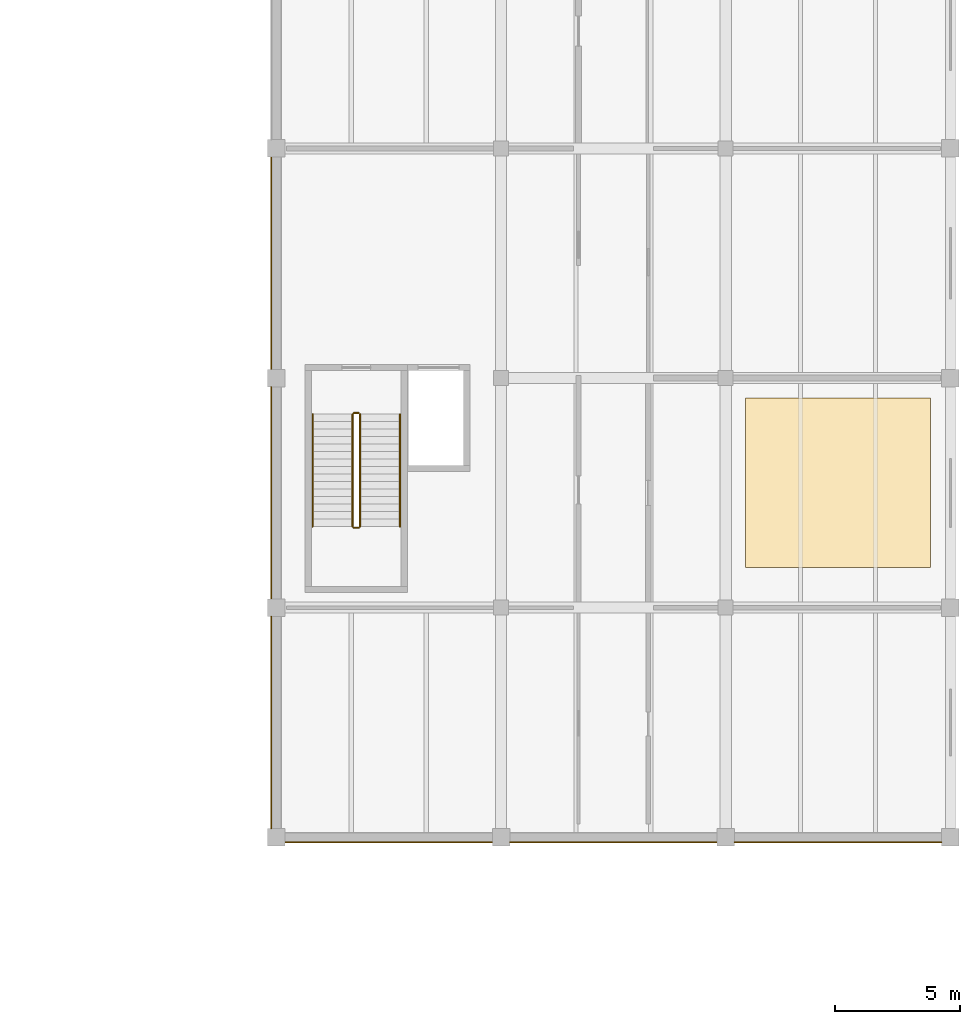
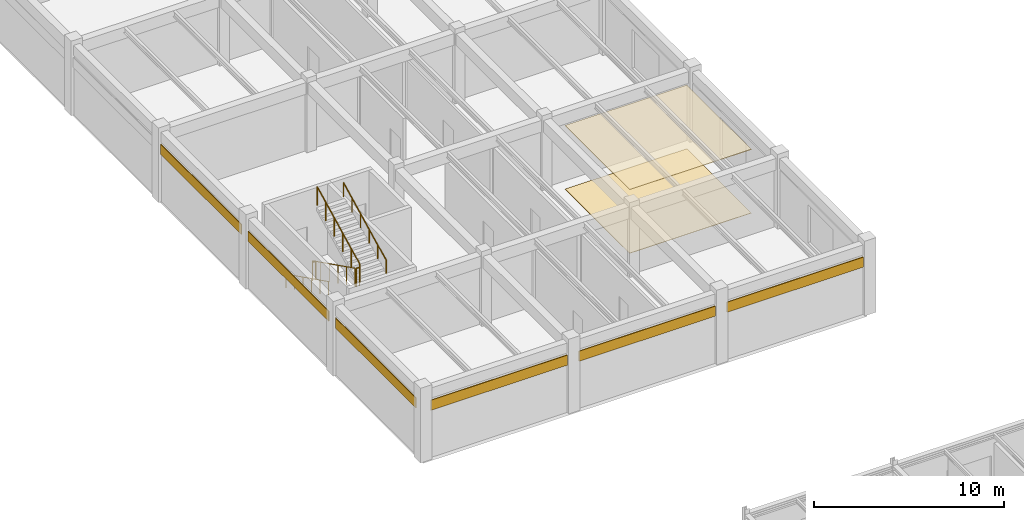
# One storey, part 60 of 61: 8 coverings, 6 railings.
"""IFC4 building model written with IfcOpenShell, lengths in metres."""

import ifcopenshell
import ifcopenshell.guid

model = None  # the IFC model being written
_history = None  # IfcOwnerHistory: only IFC2X3 demands one
_inside = {}  # id of a spatial element -> (the spatial element, [elements in it])
_under = {}  # id of a project, library or spatial element -> (it, [spatial elements below it])
_declared = {}  # id of a project -> (the project, [libraries it declares])
_typed = {}  # id of a type object -> (the type object, [elements of that type])
_made_of = {}  # id of a material, layer set ... -> (it, [elements and type objects made of it])


def new_model(schema):
    """Start an empty IFC model of exactly this schema.

    Asked for "IFC4X3", IfcOpenShell would pick the latest addendum, in which some entities
    have other attributes; the version numbers below select the first issue.
    IFC2X3 requires an IfcOwnerHistory on every rooted entity: one is made here for all.
    """
    global model, _history
    if schema == "IFC4X3":
        model = ifcopenshell.file(schema_version=(4, 3, 0, 0))
    else:
        model = ifcopenshell.file(schema=schema)
    _inside.clear()
    _under.clear()
    _declared.clear()
    _typed.clear()
    _made_of.clear()
    _history = None
    if model.schema == "IFC2X3":
        org = make("IfcOrganization", Name="unknown")
        user = make(
            "IfcPersonAndOrganization",
            ThePerson=make("IfcPerson", FamilyName="unknown"),
            TheOrganization=org,
        )
        app = make(
            "IfcApplication",
            ApplicationDeveloper=org,
            Version="unknown",
            ApplicationFullName="unknown",
            ApplicationIdentifier="unknown",
        )
        _history = make(
            "IfcOwnerHistory",
            OwningUser=user,
            OwningApplication=app,
            ChangeAction="ADDED",
            CreationDate=0,
        )
    return model


def make(cls, **values):
    """One entity of the class cls with the attributes given. An attribute that is None is left unset."""
    return model.create_entity(
        cls, **{name: value for name, value in values.items() if value is not None}
    )


def rooted(cls, **values):
    """An entity with a GlobalId (a new one), such as an element, a storey or a relation."""
    return make(cls, GlobalId=ifcopenshell.guid.new(), OwnerHistory=_history, **values)


def si_unit(unit_type, name, prefix=None):
    """IfcSIUnit, for example si_unit("LENGTHUNIT", "METRE", prefix="MILLI")."""
    return make("IfcSIUnit", UnitType=unit_type, Prefix=prefix, Name=name)


def assignment(units):
    """IfcUnitAssignment: the units of a project."""
    return None if units is None else make("IfcUnitAssignment", Units=units)


def point(xyz):
    """IfcCartesianPoint."""
    return None if xyz is None else make("IfcCartesianPoint", Coordinates=xyz)


def direction(xyz):
    """IfcDirection."""
    return None if xyz is None else make("IfcDirection", DirectionRatios=xyz)


def frame(location, z_axis=None, x_axis=None):
    """IfcAxis2Placement3D, a coordinate frame: its origin and axes. An axis left out is left unset."""
    return make(
        "IfcAxis2Placement3D",
        Location=point(location),
        Axis=direction(z_axis),
        RefDirection=direction(x_axis),
    )


def frame_2d(location, x_axis=None):
    """IfcAxis2Placement2D, a coordinate frame in the plane: its origin and x axis."""
    return make(
        "IfcAxis2Placement2D", Location=point(location), RefDirection=direction(x_axis)
    )


def origin():
    """The frame at (0, 0, 0) with its axes left unset."""
    return frame((0.0, 0.0, 0.0))


def origin_2d():
    """The frame at (0, 0) in the plane with its x axis left unset."""
    return frame_2d((0.0, 0.0))


def place(relative_to, where):
    """IfcLocalPlacement: puts the frame where relative to a parent placement (None: the world)."""
    return make(
        "IfcLocalPlacement", PlacementRelTo=relative_to, RelativePlacement=where
    )


def context(
    kind, dimensions, precision=None, world=None, true_north=None, identifier=None
):
    """IfcGeometricRepresentationContext, for example the 3D "Model" context."""
    return make(
        "IfcGeometricRepresentationContext",
        ContextIdentifier=identifier,
        ContextType=kind,
        CoordinateSpaceDimension=dimensions,
        Precision=precision,
        WorldCoordinateSystem=world,
        TrueNorth=true_north,
    )


def subcontext(parent, identifier, kind, view, scale=None):
    """IfcGeometricRepresentationSubContext, for example "Body" below "Model"."""
    return make(
        "IfcGeometricRepresentationSubContext",
        ContextIdentifier=identifier,
        ContextType=kind,
        ParentContext=parent,
        TargetScale=scale,
        TargetView=view,
    )


def project(units=None, contexts=None):
    """IfcProject with its units and contexts."""
    return rooted(
        "IfcProject",
        Name="project",
        RepresentationContexts=contexts,
        UnitsInContext=assignment(units),
    )


def spatial(cls, under=None, at=None, **own):
    """A site, building, storey or space (cls), placed at a placement, below another one or the project."""
    s = rooted(cls, ObjectPlacement=at, **own)
    if under is not None:
        _under.setdefault(under.id(), (under, []))[1].append(s)
    return s


def polyline(points):
    """IfcPolyline through the points."""
    return make("IfcPolyline", Points=[point(p) for p in points])


def profile(cls, at=None, kind="AREA", **sizes):
    """A parametric profile (cls). Its sizes go by their IFC names, for example OverallWidth=200.0."""
    return make(cls, ProfileType=kind, Position=at, **sizes)


def rectangle(**sizes):
    """IfcRectangleProfileDef."""
    return profile("IfcRectangleProfileDef", **sizes)


def circle(**sizes):
    """IfcCircleProfileDef."""
    return profile("IfcCircleProfileDef", **sizes)


def outline(outer, holes=None, kind="AREA"):
    """IfcArbitraryClosedProfileDef: a profile drawn as a closed curve; with holes, ...WithVoids."""
    if holes is None:
        return make("IfcArbitraryClosedProfileDef", ProfileType=kind, OuterCurve=outer)
    return make(
        "IfcArbitraryProfileDefWithVoids",
        ProfileType=kind,
        OuterCurve=outer,
        InnerCurves=holes,
    )


def extrude(swept, where, along, depth):
    """IfcExtrudedAreaSolid: the profile swept, set in the frame where, extruded along a direction by depth."""
    return make(
        "IfcExtrudedAreaSolid",
        SweptArea=swept,
        Position=where,
        ExtrudedDirection=direction(along),
        Depth=depth,
    )


def shape(context_of_items, identifier, shape_type, items):
    """IfcShapeRepresentation: the items that make up one representation, for example the "Body"."""
    return make(
        "IfcShapeRepresentation",
        ContextOfItems=context_of_items,
        RepresentationIdentifier=identifier,
        RepresentationType=shape_type,
        Items=items,
    )


def material(Name=None, Category=None):
    """IfcMaterial."""
    return make("IfcMaterial", Name=Name, Category=Category)


def layer(
    of_material, thickness, ventilated=None, Name=None, Category=None, Priority=None
):
    """IfcMaterialLayer: one layer of a wall or slab, of a material (None: an air gap)."""
    return make(
        "IfcMaterialLayer",
        Material=of_material,
        LayerThickness=thickness,
        IsVentilated=ventilated,
        Name=Name,
        Category=Category,
        Priority=Priority,
    )


def layer_set(layers, Name=None):
    """IfcMaterialLayerSet."""
    return make("IfcMaterialLayerSet", MaterialLayers=layers, LayerSetName=Name)


def made_of(thing, what):
    """Note that an element or type object is made of a material, layer set ...; save() writes the relation."""
    if what is not None:
        _made_of.setdefault(what.id(), (what, []))[1].append(thing)
    return thing


def type_object(cls, material=None, **own):
    """A type object (cls), such as IfcWallType, which elements share."""
    return made_of(rooted(cls, **own), material)


def element(
    cls,
    number,
    at=None,
    inside=None,
    cuts=None,
    type_object=None,
    material=None,
    context=None,
    identifier="Body",
    shape_type=None,
    held_by="IfcProductDefinitionShape",
    body=None,
    shapes=None,
    **own,
):
    """One element of the class cls, such as IfcWall. Its Tag is "e" and its number.

    at: its placement. inside: the storey or other place that contains it. cuts: it is an
    opening in that element (IfcRelVoidsElement). A single representation is given by context,
    identifier, shape_type and body (its items); several are given by shapes. held_by: the class
    of the entity that holds the representations. save() writes the other relations.
    """
    e = rooted(cls, Tag="e%d" % number, ObjectPlacement=at, **own)
    if body is not None:
        shapes = [shape(context, identifier, shape_type, body)]
    if shapes is not None:
        e.Representation = make(held_by, Representations=shapes)
    if inside is not None:
        _inside.setdefault(inside.id(), (inside, []))[1].append(e)
    if cuts is not None:
        rooted(
            "IfcRelVoidsElement", RelatingBuildingElement=cuts, RelatedOpeningElement=e
        )
    if type_object is not None:
        _typed.setdefault(type_object.id(), (type_object, []))[1].append(e)
    return made_of(e, material)


def aggregate(whole, parts):
    """IfcRelAggregates: a whole, such as a stair, and the parts it consists of."""
    return rooted("IfcRelAggregates", RelatingObject=whole, RelatedObjects=parts)


def save(model, path):
    """Write the relations noted so far, then the file.

    IfcRelAggregates (storeys below a building ...), IfcRelContainedInSpatialStructure (elements
    in a storey), IfcRelDefinesByType, IfcRelAssociatesMaterial and IfcRelDeclares: one each for
    every whole, place, type object, material and project.
    """
    for whole, parts in _under.values():
        aggregate(whole, parts)
    for where, things in _inside.values():
        rooted(
            "IfcRelContainedInSpatialStructure",
            RelatedElements=things,
            RelatingStructure=where,
        )
    for kind, things in _typed.values():
        rooted("IfcRelDefinesByType", RelatedObjects=things, RelatingType=kind)
    for what, things in _made_of.values():
        rooted("IfcRelAssociatesMaterial", RelatedObjects=things, RelatingMaterial=what)
    for by, libraries in _declared.values():
        rooted("IfcRelDeclares", RelatingContext=by, RelatedDefinitions=libraries)
    model.write(path)


model = new_model("IFC4")

# Units and contexts
model_context = context("Model", 3, precision=1e-05, world=origin(), true_north=direction((0.0, 1.0)))
body_context = subcontext(model_context, "Body", "Model", "MODEL_VIEW")
ifc_project = project(units=[si_unit("LENGTHUNIT", "METRE"), si_unit("AREAUNIT", "SQUARE_METRE"), si_unit("VOLUMEUNIT", "CUBIC_METRE"), si_unit("PLANEANGLEUNIT", "RADIAN"), si_unit("MASSUNIT", "GRAM", prefix="KILO")], contexts=[model_context])

# Site, building, storey
site_placement = place(None, origin())
site = spatial("IfcSite", under=ifc_project, at=site_placement, CompositionType="ELEMENT")
building_placement = place(site_placement, origin())
building = spatial("IfcBuilding", under=site, at=building_placement, Name="Bozkorgan Art Gallery", CompositionType="ELEMENT")
storey_placement = place(building_placement, frame((0.0, 0.0, 10.199951171875)))
storey = spatial("IfcBuildingStorey", under=building, at=storey_placement, Name="L02", CompositionType="ELEMENT", Elevation=10.199951171875)

# Coverings
ifc_material_1 = material(Name="Micro-Perforated Acoustic Gypsum Board")
ifc_layer_1 = layer(ifc_material_1, 0.034912109375, Name="Micro-Perforated Acoustic Gypsum Board")
ifc_layer_set_1 = layer_set([ifc_layer_1], Name="Micro-Perforated Acoustic Gypsum Board")
covering_type_1 = type_object("IfcCoveringType", Name="COV-CEIL-01", PredefinedType="CEILING", material=ifc_layer_set_1)
covering_1_placement = place(storey_placement, frame((0.0, 0.0, 4.0849609375)))
element("IfcCovering", 1, at=covering_1_placement, inside=storey, type_object=covering_type_1, Name="V5 L02 acoustic gallery ceiling 9", PredefinedType="CEILING", context=body_context, shape_type="SweptSolid", body=[
    extrude(outline(polyline([(155.800048828125, 76.800048828125), (163.199951171875, 76.800048828125), (163.199951171875, 83.60009765625), (155.800048828125, 83.60009765625), (155.800048828125, 76.800048828125)])), origin(), (0.0, 0.0, 1.0), 0.03515625),
])
ifc_material_2 = material(Name="Polychrome Vitrified Ceramic Tile")
ifc_layer_2 = layer(ifc_material_2, 0.044921875, Name="Polychrome Vitrified Ceramic Tile")
ifc_layer_set_2 = layer_set([ifc_layer_2], Name="Polychrome Vitrified Ceramic Tile")
covering_type_2 = type_object("IfcCoveringType", Name="COV-CLAD-01", PredefinedType="CLADDING", material=ifc_layer_set_2)
for number, where, z_axis, x_axis, name in (
    (2, (137.35009765625, 65.797607421875, 3.06494140625), (0.0, 0.0, 1.0), (1.0, 0.0, 0.0), "V5 L02 polychrome trencadis ceramic frieze"),
    (3, (146.35009765625, 65.797607421875, 3.06494140625), (0.0, 0.0, 1.0), (1.0, 0.0, 0.0), "V5 L02 polychrome trencadis ceramic frieze"),
    (4, (155.35009765625, 65.797607421875, 3.06494140625), (0.0, 0.0, 1.0), (1.0, 0.0, 0.0), "V5 L02 polychrome trencadis ceramic frieze"),
):
    element("IfcCovering", number, at=place(storey_placement, frame(where, z_axis=z_axis, x_axis=x_axis)), inside=storey, type_object=covering_type_2, Name=name, PredefinedType="CLADDING", context=body_context, shape_type="SweptSolid", body=[
        extrude(rectangle(XDim=8.2998046875, YDim=0.044921875, at=frame_2d((4.14990234375, 0.0))), origin(), (0.0, 0.0, 1.0), 0.650146484375),
    ])
for number, where, z_axis, x_axis, name in (
    (5, (136.797607421875, 66.35009765625, 3.06494140625), (0.0, 0.0, 1.0), (0.0, 1.0, 0.0), "V5 L02 polychrome trencadis ceramic frieze"),
    (6, (136.797607421875, 75.550048828125, 3.06494140625), (0.0, 0.0, 1.0), (0.0, 1.0, 0.0), "V5 L02 polychrome trencadis ceramic frieze"),
    (7, (136.797607421875, 84.75, 3.06494140625), (0.0, 0.0, 1.0), (0.0, 1.0, 0.0), "V5 L02 polychrome trencadis ceramic frieze"),
):
    element("IfcCovering", number, at=place(storey_placement, frame(where, z_axis=z_axis, x_axis=x_axis)), inside=storey, type_object=covering_type_2, Name=name, PredefinedType="CLADDING", context=body_context, shape_type="SweptSolid", body=[
        extrude(rectangle(XDim=8.5, YDim=0.044921875, at=frame_2d((4.25, 0.0))), origin(), (0.0, 0.0, 1.0), 0.650146484375),
    ])
ifc_material_3 = material(Name="Polished Kordai Granite Terrazzo", Category="masonry")
ifc_layer_3 = layer(ifc_material_3, 0.02490234375, Name="Polished Kordai Granite Terrazzo")
ifc_layer_set_3 = layer_set([ifc_layer_3], Name="Polished Kordai Granite Terrazzo")
covering_type_3 = type_object("IfcCoveringType", Name="COV-FLR-01", PredefinedType="FLOORING", material=ifc_layer_set_3)
covering_2_placement = place(storey_placement, origin())
element("IfcCovering", 8, at=covering_2_placement, inside=storey, type_object=covering_type_3, Name="V5 L02 terrazzo gallery flooring 9", PredefinedType="FLOORING", context=body_context, shape_type="SweptSolid", body=[
    extrude(outline(polyline([(155.800048828125, 76.800048828125), (163.199951171875, 76.800048828125), (163.199951171875, 83.60009765625), (155.800048828125, 83.60009765625), (155.800048828125, 76.800048828125)])), origin(), (0.0, 0.0, 1.0), 0.025146484375),
])

# Railings
ifc_material_4 = material(Name="Steel S355J2", Category="steel")
railing_type_1 = type_object("IfcRailingType", Name="RAIL-GRD-115", PredefinedType="GUARDRAIL", material=ifc_material_4)
railing_1_placement = place(storey_placement, frame((140.050048828125, 82.949951171875, 0.150146484375)))
element("IfcRailing", 9, at=railing_1_placement, inside=storey, type_object=railing_type_1, Name="L02 ST3 stair guard 1", PredefinedType="GUARDRAIL", context=body_context, shape_type="SweptSolid", body=[
    extrude(circle(Radius=0.02392578125, at=origin_2d()), frame((0.0, 0.0, 1.17578125), z_axis=(0.0, -0.894427191, 0.4472135955), x_axis=(1.0, 0.0, 0.0)), (0.0, 0.0, 1.0), 5.03125),
    extrude(circle(Radius=0.02099609375, at=origin_2d()), origin(), (0.0, 0.0, 1.0), 1.15185546875),
    extrude(circle(Radius=0.02099609375, at=origin_2d()), frame((0.0, -0.89990234375, 0.449951171875)), (0.0, 0.0, 1.0), 1.15185546875),
    extrude(circle(Radius=0.02099609375, at=origin_2d()), frame((0.0, -1.800048828125, 0.89990234375)), (0.0, 0.0, 1.0), 1.15185546875),
    extrude(circle(Radius=0.02099609375, at=origin_2d()), frame((0.0, -2.699951171875, 1.35009765625)), (0.0, 0.0, 1.0), 1.15185546875),
    extrude(circle(Radius=0.02099609375, at=origin_2d()), frame((0.0, -3.60009765625, 1.800048828125)), (0.0, 0.0, 1.0), 1.15185546875),
    extrude(circle(Radius=0.02099609375, at=origin_2d()), frame((0.0, -4.5, 2.25)), (0.0, 0.0, 1.0), 1.15185546875),
])
railing_2_placement = place(storey_placement, frame((140.10009765625, 78.39990234375, 2.400146484375)))
element("IfcRailing", 10, at=railing_2_placement, inside=storey, type_object=railing_type_1, Name="L02 ST3 stair guard 2", PredefinedType="GUARDRAIL", context=body_context, shape_type="SweptSolid", body=[
    extrude(circle(Radius=0.02392578125, at=origin_2d()), frame((0.0, 0.0, 1.17578125), z_axis=(1.0, 0.0, 0.0), x_axis=(0.0, 1.0, 0.0)), (0.0, 0.0, 1.0), 0.199951171875),
    extrude(circle(Radius=0.02099609375, at=origin_2d()), origin(), (0.0, 0.0, 1.0), 1.15185546875),
    extrude(circle(Radius=0.02099609375, at=origin_2d()), frame((0.199951171875, 0.0, 0.0)), (0.0, 0.0, 1.0), 1.15185546875),
])
railing_3_placement = place(storey_placement, frame((140.35009765625, 78.449951171875, 2.550048828125)))
element("IfcRailing", 11, at=railing_3_placement, inside=storey, type_object=railing_type_1, Name="L02 ST3 stair guard 3", PredefinedType="GUARDRAIL", context=body_context, shape_type="SweptSolid", body=[
    extrude(circle(Radius=0.02392578125, at=origin_2d()), frame((0.0, 0.0, 1.17578125), z_axis=(0.0, 0.894427191, 0.4472135955), x_axis=(-1.0, 0.0, 0.0)), (0.0, 0.0, 1.0), 5.03125),
    extrude(circle(Radius=0.02099609375, at=origin_2d()), origin(), (0.0, 0.0, 1.0), 1.15185546875),
    extrude(circle(Radius=0.02099609375, at=origin_2d()), frame((0.0, 0.89990234375, 0.449951171875)), (0.0, 0.0, 1.0), 1.15185546875),
    extrude(circle(Radius=0.02099609375, at=origin_2d()), frame((0.0, 1.800048828125, 0.89990234375)), (0.0, 0.0, 1.0), 1.15185546875),
    extrude(circle(Radius=0.02099609375, at=origin_2d()), frame((0.0, 2.699951171875, 1.35009765625)), (0.0, 0.0, 1.0), 1.15185546875),
    extrude(circle(Radius=0.02099609375, at=origin_2d()), frame((0.0, 3.60009765625, 1.800048828125)), (0.0, 0.0, 1.0), 1.15185546875),
    extrude(circle(Radius=0.02099609375, at=origin_2d()), frame((0.0, 4.5, 2.25)), (0.0, 0.0, 1.0), 1.15185546875),
])
railing_4_placement = place(storey_placement, frame((140.10009765625, 83.0, 0.0)))
element("IfcRailing", 12, at=railing_4_placement, inside=storey, type_object=railing_type_1, Name="L02 ST3 stair guard 4", PredefinedType="GUARDRAIL", context=body_context, shape_type="SweptSolid", body=[
    extrude(circle(Radius=0.02392578125, at=origin_2d()), frame((0.0, 0.0, 1.17578125), z_axis=(1.0, 0.0, 0.0), x_axis=(0.0, 1.0, 0.0)), (0.0, 0.0, 1.0), 0.199951171875),
    extrude(circle(Radius=0.02099609375, at=origin_2d()), origin(), (0.0, 0.0, 1.0), 1.15185546875),
    extrude(circle(Radius=0.02099609375, at=origin_2d()), frame((0.199951171875, 0.0, 0.0)), (0.0, 0.0, 1.0), 1.15185546875),
])
railing_type_2 = type_object("IfcRailingType", Name="RAIL-HND-092", PredefinedType="HANDRAIL", material=ifc_material_4)
railing_5_placement = place(storey_placement, frame((138.449951171875, 82.949951171875, 0.150146484375)))
element("IfcRailing", 13, at=railing_5_placement, inside=storey, type_object=railing_type_2, Name="L02 ST3 stair handrail 1", PredefinedType="HANDRAIL", context=body_context, shape_type="SweptSolid", body=[
    extrude(circle(Radius=0.02392578125, at=origin_2d()), frame((0.0, 0.0, 0.8759765625), z_axis=(0.0, -0.894427191, 0.4472135955), x_axis=(1.0, 0.0, 0.0)), (0.0, 0.0, 1.0), 5.03125),
    extrude(circle(Radius=0.02099609375, at=origin_2d()), origin(), (0.0, 0.0, 1.0), 0.851806640625),
    extrude(circle(Radius=0.02099609375, at=origin_2d()), frame((0.0, -0.89990234375, 0.449951171875)), (0.0, 0.0, 1.0), 0.851806640625),
    extrude(circle(Radius=0.02099609375, at=origin_2d()), frame((0.0, -1.800048828125, 0.89990234375)), (0.0, 0.0, 1.0), 0.851806640625),
    extrude(circle(Radius=0.02099609375, at=origin_2d()), frame((0.0, -2.699951171875, 1.35009765625)), (0.0, 0.0, 1.0), 0.851806640625),
    extrude(circle(Radius=0.02099609375, at=origin_2d()), frame((0.0, -3.60009765625, 1.800048828125)), (0.0, 0.0, 1.0), 0.851806640625),
    extrude(circle(Radius=0.02099609375, at=origin_2d()), frame((0.0, -4.5, 2.25)), (0.0, 0.0, 1.0), 0.851806640625),
])
railing_6_placement = place(storey_placement, frame((141.949951171875, 78.449951171875, 2.550048828125)))
element("IfcRailing", 14, at=railing_6_placement, inside=storey, type_object=railing_type_2, Name="L02 ST3 stair handrail 2", PredefinedType="HANDRAIL", context=body_context, shape_type="SweptSolid", body=[
    extrude(circle(Radius=0.02392578125, at=origin_2d()), frame((0.0, 0.0, 0.8759765625), z_axis=(0.0, 0.894427191, 0.4472135955), x_axis=(-1.0, 0.0, 0.0)), (0.0, 0.0, 1.0), 5.03125),
    extrude(circle(Radius=0.02099609375, at=origin_2d()), origin(), (0.0, 0.0, 1.0), 0.851806640625),
    extrude(circle(Radius=0.02099609375, at=origin_2d()), frame((0.0, 0.89990234375, 0.449951171875)), (0.0, 0.0, 1.0), 0.851806640625),
    extrude(circle(Radius=0.02099609375, at=origin_2d()), frame((0.0, 1.800048828125, 0.89990234375)), (0.0, 0.0, 1.0), 0.851806640625),
    extrude(circle(Radius=0.02099609375, at=origin_2d()), frame((0.0, 2.699951171875, 1.35009765625)), (0.0, 0.0, 1.0), 0.851806640625),
    extrude(circle(Radius=0.02099609375, at=origin_2d()), frame((0.0, 3.60009765625, 1.800048828125)), (0.0, 0.0, 1.0), 0.851806640625),
    extrude(circle(Radius=0.02099609375, at=origin_2d()), frame((0.0, 4.5, 2.25)), (0.0, 0.0, 1.0), 0.851806640625),
])

save(model, "model.ifc")
